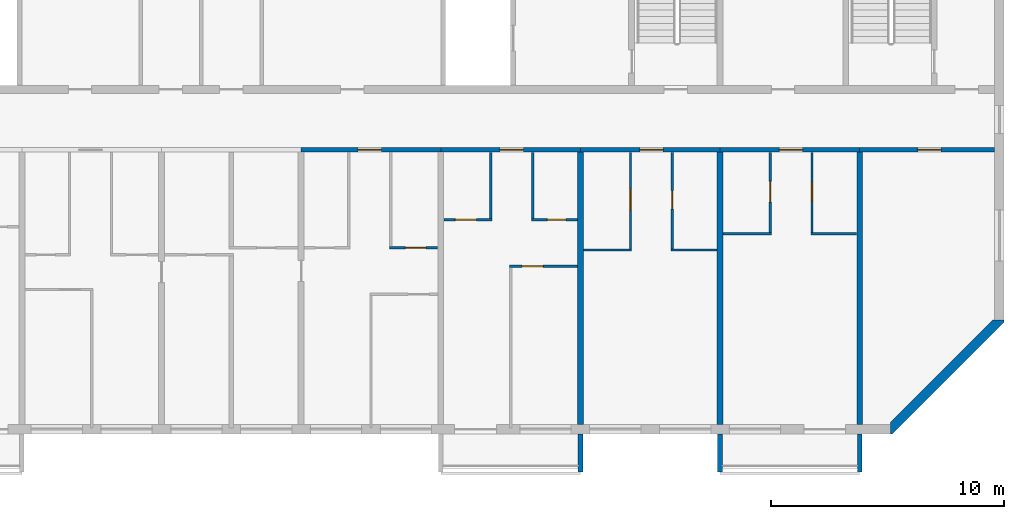
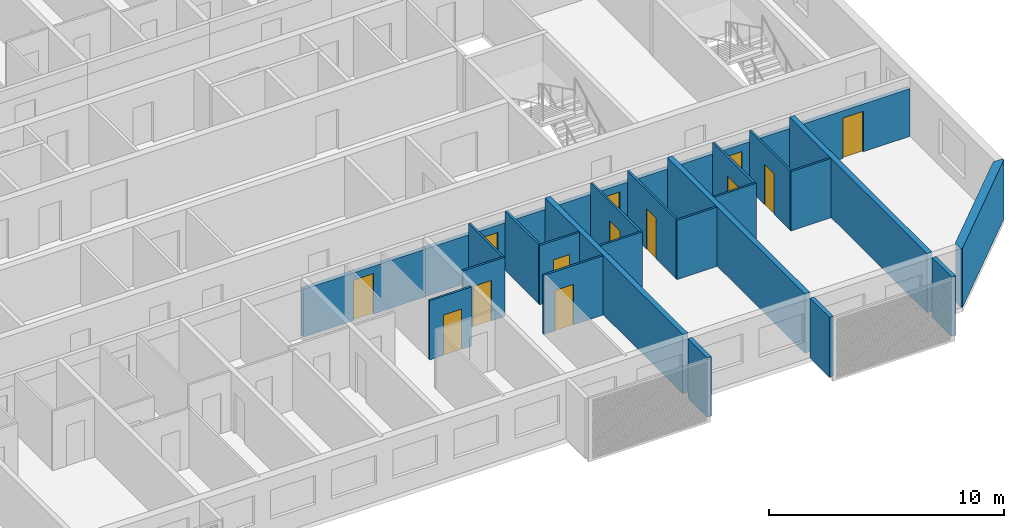
# One storey, part 5 of 26: 26 walls, 13 doors, 13 openings.
"""IFC4 building model written with IfcOpenShell, lengths in metres."""

from ifc_helpers import new_model, si_unit, direction, frame, frame_2d, origin, place, context, subcontext, project, spatial, polyline, rectangle, outline, extrude, source, transform, mapped, material, layer, layer_set, type_object, element, fill, save


model = new_model("IFC4")

# Units and contexts
model_context = context("Model", 3, precision=1e-05, world=origin(), true_north=direction((0.0, 1.0)))
body_context = subcontext(model_context, "Body", "Model", "MODEL_VIEW")
ifc_project = project(units=[si_unit("LENGTHUNIT", "METRE"), si_unit("AREAUNIT", "SQUARE_METRE"), si_unit("VOLUMEUNIT", "CUBIC_METRE"), si_unit("PLANEANGLEUNIT", "RADIAN"), si_unit("MASSUNIT", "GRAM", prefix="KILO")], contexts=[model_context])

# Site, building, storey
site_placement = place(None, origin())
site = spatial("IfcSite", under=ifc_project, at=site_placement, CompositionType="ELEMENT")
building_placement = place(site_placement, origin())
building = spatial("IfcBuilding", under=site, at=building_placement, Name="Poui Terraces", CompositionType="ELEMENT")
storey_placement = place(building_placement, frame((0.0, 0.0, 247.800048828125)))
storey = spatial("IfcBuildingStorey", under=building, at=storey_placement, Name="L69", CompositionType="ELEMENT", Elevation=247.800048828125)

# Wall, opening, door
ifc_material_1 = material(Name="Concrete 50 MPa", Category="concrete")
ifc_layer_1 = layer(ifc_material_1, 0.199951171875)
ifc_layer_set_1 = layer_set([ifc_layer_1], Name="Concrete 50 MPa")
wall_type_1 = type_object("IfcWallType", Name="CORRIDOR WALL 200 50MPa", PredefinedType="SHEAR", material=ifc_layer_set_1)
wall_1_placement = place(storey_placement, frame((54.0, 12.0, 0.0), z_axis=(0.0, 0.0, 1.0), x_axis=(1.0, 0.0, 0.0)))
wall_1 = element("IfcWall", 1, at=wall_1_placement, inside=storey, type_object=wall_type_1, Name="CORRIDOR WALL LINE B BAY 7", PredefinedType="SHEAR", context=body_context, shape_type="SweptSolid", body=[
    extrude(rectangle(XDim=6.0, YDim=0.199951171875, at=frame_2d((3.0, 0.0))), origin(), (0.0, 0.0, 1.0), 2.47998046875),
])
opening_1_placement = place(wall_1_placement, frame((2.449951171875, 0.0, 0.0)))
opening_1 = element("IfcOpeningElement", 2, at=opening_1_placement, cuts=wall_1, Name="Opening FD30S", PredefinedType="OPENING", context=body_context, shape_type="SweptSolid", body=[
    extrude(rectangle(XDim=1.0, YDim=2.10009765625, at=frame_2d((0.5, 1.050048828125))), frame((0.0, 0.10986328125, 0.0), z_axis=(0.0, -1.0, 0.0), x_axis=(1.0, 0.0, 0.0)), (0.0, 0.0, 1.0), 0.219970703125),
])
ifc_material_2 = material(Name="Steel fire door", Category="steel")
door_type_1 = type_object("IfcDoorType", Name="FLAT ENTRANCE DOOR 1000 X 2100", OperationType="NOTDEFINED", PredefinedType="DOOR", material=ifc_material_2)
door_1_placement = place(opening_1_placement, frame((1.0, 0.0, 0.0), z_axis=(0.0, 0.0, 1.0), x_axis=(-1.0, 0.0, 0.0)))
door_1 = element("IfcDoor", 3, at=door_1_placement, inside=storey, type_object=door_type_1, Name="FLAT ENTRANCE DOOR 081", OperationType="SINGLE_SWING_RIGHT", OverallHeight=2.10009765625, OverallWidth=1.0, PredefinedType="DOOR", context=body_context, shape_type="SweptSolid", body=[
    extrude(rectangle(XDim=1.0, YDim=2.10009765625, at=frame_2d((0.5, 1.050048828125))), frame((0.0, 0.02490234375, 0.0), z_axis=(0.0, -1.0, 0.0), x_axis=(1.0, 0.0, 0.0)), (0.0, 0.0, 1.0), 0.050048828125),
])
fill(opening_1, door_1)

wall_2_placement = place(storey_placement, frame((60.0, 12.0, 0.0), z_axis=(0.0, 0.0, 1.0), x_axis=(1.0, 0.0, 0.0)))
wall_2 = element("IfcWall", 4, at=wall_2_placement, inside=storey, type_object=wall_type_1, Name="CORRIDOR WALL LINE B BAY 8", PredefinedType="SHEAR", context=body_context, shape_type="SweptSolid", body=[
    extrude(rectangle(XDim=6.0, YDim=0.199951171875, at=frame_2d((3.0, 0.0))), origin(), (0.0, 0.0, 1.0), 2.47998046875),
])
opening_2_placement = place(wall_2_placement, frame((2.550048828125, 0.0, 0.0)))
opening_2 = element("IfcOpeningElement", 5, at=opening_2_placement, cuts=wall_2, Name="Opening FD30S", PredefinedType="OPENING", context=body_context, shape_type="SweptSolid", body=[
    extrude(rectangle(XDim=1.0, YDim=2.10009765625, at=frame_2d((0.5, 1.050048828125))), frame((0.0, 0.10986328125, 0.0), z_axis=(0.0, -1.0, 0.0), x_axis=(1.0, 0.0, 0.0)), (0.0, 0.0, 1.0), 0.219970703125),
])
door_2_placement = place(opening_2_placement, frame((1.0, 0.0, 0.0), z_axis=(0.0, 0.0, 1.0), x_axis=(-1.0, 0.0, 0.0)))
door_2 = element("IfcDoor", 6, at=door_2_placement, inside=storey, type_object=door_type_1, Name="FLAT ENTRANCE DOOR 085", OperationType="SINGLE_SWING_LEFT", OverallHeight=2.10009765625, OverallWidth=1.0, PredefinedType="DOOR", context=body_context, shape_type="SweptSolid", body=[
    extrude(rectangle(XDim=1.0, YDim=2.10009765625, at=frame_2d((0.5, 1.050048828125))), frame((0.0, 0.02490234375, 0.0), z_axis=(0.0, -1.0, 0.0), x_axis=(1.0, 0.0, 0.0)), (0.0, 0.0, 1.0), 0.050048828125),
])
fill(opening_2, door_2)

wall_3_placement = place(storey_placement, frame((66.0, 12.0, 0.0), z_axis=(0.0, 0.0, 1.0), x_axis=(1.0, 0.0, 0.0)))
wall_3 = element("IfcWall", 7, at=wall_3_placement, inside=storey, type_object=wall_type_1, Name="CORRIDOR WALL LINE B BAY 9", PredefinedType="SHEAR", context=body_context, shape_type="SweptSolid", body=[
    extrude(rectangle(XDim=6.0, YDim=0.199951171875, at=frame_2d((3.0, 0.0))), origin(), (0.0, 0.0, 1.0), 2.47998046875),
])
opening_3_placement = place(wall_3_placement, frame((2.550048828125, 0.0, 0.0)))
opening_3 = element("IfcOpeningElement", 8, at=opening_3_placement, cuts=wall_3, Name="Opening FD30S", PredefinedType="OPENING", context=body_context, shape_type="SweptSolid", body=[
    extrude(rectangle(XDim=1.0, YDim=2.10009765625, at=frame_2d((0.5, 1.050048828125))), frame((0.0, 0.10986328125, 0.0), z_axis=(0.0, -1.0, 0.0), x_axis=(1.0, 0.0, 0.0)), (0.0, 0.0, 1.0), 0.219970703125),
])
door_3_placement = place(opening_3_placement, frame((1.0, 0.0, 0.0), z_axis=(0.0, 0.0, 1.0), x_axis=(-1.0, 0.0, 0.0)))
door_3 = element("IfcDoor", 9, at=door_3_placement, inside=storey, type_object=door_type_1, Name="FLAT ENTRANCE DOOR 089", OperationType="SINGLE_SWING_LEFT", OverallHeight=2.10009765625, OverallWidth=1.0, PredefinedType="DOOR", context=body_context, shape_type="SweptSolid", body=[
    extrude(rectangle(XDim=1.0, YDim=2.10009765625, at=frame_2d((0.5, 1.050048828125))), frame((0.0, 0.02490234375, 0.0), z_axis=(0.0, -1.0, 0.0), x_axis=(1.0, 0.0, 0.0)), (0.0, 0.0, 1.0), 0.050048828125),
])
fill(opening_3, door_3)

wall_4_placement = place(storey_placement, frame((72.0, 12.0, 0.0), z_axis=(0.0, 0.0, 1.0), x_axis=(1.0, 0.0, 0.0)))
wall_4 = element("IfcWall", 10, at=wall_4_placement, inside=storey, type_object=wall_type_1, Name="CORRIDOR WALL LINE B BAY 10", PredefinedType="SHEAR", context=body_context, shape_type="SweptSolid", body=[
    extrude(rectangle(XDim=6.0, YDim=0.199951171875, at=frame_2d((3.0, 0.0))), origin(), (0.0, 0.0, 1.0), 2.47998046875),
])
opening_4_placement = place(wall_4_placement, frame((2.550048828125, 0.0, 0.0)))
opening_4 = element("IfcOpeningElement", 11, at=opening_4_placement, cuts=wall_4, Name="Opening FD30S", PredefinedType="OPENING", context=body_context, shape_type="SweptSolid", body=[
    extrude(rectangle(XDim=1.0, YDim=2.10009765625, at=frame_2d((0.5, 1.050048828125))), frame((0.0, 0.10986328125, 0.0), z_axis=(0.0, -1.0, 0.0), x_axis=(1.0, 0.0, 0.0)), (0.0, 0.0, 1.0), 0.219970703125),
])
door_4_placement = place(opening_4_placement, frame((1.0, 0.0, 0.0), z_axis=(0.0, 0.0, 1.0), x_axis=(-1.0, 0.0, 0.0)))
door_4 = element("IfcDoor", 12, at=door_4_placement, inside=storey, type_object=door_type_1, Name="FLAT ENTRANCE DOOR 092", OperationType="SINGLE_SWING_LEFT", OverallHeight=2.10009765625, OverallWidth=1.0, PredefinedType="DOOR", context=body_context, shape_type="SweptSolid", body=[
    extrude(rectangle(XDim=1.0, YDim=2.10009765625, at=frame_2d((0.5, 1.050048828125))), frame((0.0, 0.02490234375, 0.0), z_axis=(0.0, -1.0, 0.0), x_axis=(1.0, 0.0, 0.0)), (0.0, 0.0, 1.0), 0.050048828125),
])
fill(opening_4, door_4)

wall_5_placement = place(storey_placement, frame((78.0, 12.0, 0.0), z_axis=(0.0, 0.0, 1.0), x_axis=(1.0, 0.0, 0.0)))
wall_5 = element("IfcWall", 13, at=wall_5_placement, inside=storey, type_object=wall_type_1, Name="CORRIDOR WALL LINE B BAY 11", PredefinedType="SHEAR", context=body_context, shape_type="SweptSolid", body=[
    extrude(rectangle(XDim=5.800048828125, YDim=0.199951171875, at=frame_2d((2.89990234375, 0.0))), origin(), (0.0, 0.0, 1.0), 2.47998046875),
])
opening_5_placement = place(wall_5_placement, frame((2.5, 0.0, 0.0)))
opening_5 = element("IfcOpeningElement", 14, at=opening_5_placement, cuts=wall_5, Name="Opening D100", PredefinedType="OPENING", context=body_context, shape_type="SweptSolid", body=[
    extrude(rectangle(XDim=1.0, YDim=2.10009765625, at=frame_2d((0.5, 1.050048828125))), frame((0.0, 0.10986328125, 0.0), z_axis=(0.0, -1.0, 0.0), x_axis=(1.0, 0.0, 0.0)), (0.0, 0.0, 1.0), 0.219970703125),
])
ifc_material_3 = material(Name="Solid core timber door", Category="wood")
door_type_2 = type_object("IfcDoorType", Name="ACCESSIBLE INTERNAL DOOR 1000 X 2100", OperationType="NOTDEFINED", PredefinedType="DOOR", material=ifc_material_3)
door_5_placement = place(opening_5_placement, frame((1.0, 0.0, 0.0), z_axis=(0.0, 0.0, 1.0), x_axis=(-1.0, 0.0, 0.0)))
door_5 = element("IfcDoor", 15, at=door_5_placement, inside=storey, type_object=door_type_2, Name="ACCESSIBLE INTERNAL DOOR 094", OperationType="SINGLE_SWING_RIGHT", OverallHeight=2.10009765625, OverallWidth=1.0, PredefinedType="DOOR", context=body_context, shape_type="SweptSolid", body=[
    extrude(rectangle(XDim=1.0, YDim=2.10009765625, at=frame_2d((0.5, 1.050048828125))), frame((0.0, 0.02490234375, 0.0), z_axis=(0.0, -1.0, 0.0), x_axis=(1.0, 0.0, 0.0)), (0.0, 0.0, 1.0), 0.050048828125),
])
fill(opening_5, door_5)

# Walls
ifc_layer_2 = layer(ifc_material_1, 0.25)
ifc_layer_set_2 = layer_set([ifc_layer_2], Name="Concrete 50 MPa")
wall_type_2 = type_object("IfcWallType", Name="CROSS WALL 250 50MPa", PredefinedType="SHEAR", material=ifc_layer_set_2)
for number, where, z_axis, x_axis, name in (
    (16, (66.0, 0.199951171875, 0.0), (0.0, 0.0, 1.0), (0.0, 1.0, 0.0), "CROSS WALL LINE 12 SOUTH"),
    (17, (72.0, 0.199951171875, 0.0), (0.0, 0.0, 1.0), (0.0, 1.0, 0.0), "CROSS WALL LINE 13 SOUTH"),
    (18, (78.0, 0.199951171875, 0.0), (0.0, 0.0, 1.0), (0.0, 1.0, 0.0), "CROSS WALL LINE 14 SOUTH"),
):
    element("IfcWall", number, at=place(storey_placement, frame(where, z_axis=z_axis, x_axis=x_axis)), inside=storey, type_object=wall_type_2, Name=name, PredefinedType="SHEAR", context=body_context, shape_type="SweptSolid", body=[
        extrude(rectangle(XDim=11.699951171875, YDim=0.25, at=frame_2d((5.85009765625, 0.0))), origin(), (0.0, 0.0, 1.0), 3.079833984375),
    ])

# Wall, opening, door
ifc_material_4 = material(Name="Plasterboard partition")
ifc_layer_3 = layer(ifc_material_4, 0.10009765625)
ifc_layer_set_3 = layer_set([ifc_layer_3], Name="Plasterboard partition")
wall_type_3 = type_object("IfcWallType", Name="FLAT PARTITION 100", PredefinedType="PARTITIONING", material=ifc_layer_set_3)
wall_6_placement = place(storey_placement, frame((62.949951171875, 7.0, 0.0), z_axis=(0.0, 0.0, 1.0), x_axis=(1.0, 0.0, 0.0)))
wall_6 = element("IfcWall", 19, at=wall_6_placement, inside=storey, type_object=wall_type_3, Name="FLAT PARTITION 100", PredefinedType="PARTITIONING", context=body_context, shape_type="SweptSolid", body=[
    extrude(rectangle(XDim=2.9150390625, YDim=0.10009765625, at=frame_2d((1.45751953125, 0.0))), origin(), (0.0, 0.0, 1.0), 3.079833984375),
])
opening_6_placement = place(wall_6_placement, frame((0.550048828125, 0.0, 0.0)))
opening_6 = element("IfcOpeningElement", 20, at=opening_6_placement, cuts=wall_6, Name="Opening D90", PredefinedType="OPENING", context=body_context, shape_type="SweptSolid", body=[
    extrude(rectangle(XDim=0.89990234375, YDim=2.10009765625, at=frame_2d((0.449951171875, 1.050048828125))), frame((0.0, 0.06005859375, 0.0), z_axis=(0.0, -1.0, 0.0), x_axis=(1.0, 0.0, 0.0)), (0.0, 0.0, 1.0), 0.1201171875),
])
door_type_3 = type_object("IfcDoorType", Name="INTERNAL DOOR 900 X 2100", OperationType="NOTDEFINED", PredefinedType="DOOR", material=ifc_material_3)
door_6_placement = place(opening_6_placement, origin())
door_6 = element("IfcDoor", 21, at=door_6_placement, inside=storey, type_object=door_type_3, Name="INTERNAL DOOR 086", OperationType="SINGLE_SWING_RIGHT", OverallHeight=2.10009765625, OverallWidth=0.89990234375, PredefinedType="DOOR", context=body_context, shape_type="SweptSolid", body=[
    extrude(rectangle(XDim=0.89990234375, YDim=2.10009765625, at=frame_2d((0.449951171875, 1.050048828125))), frame((0.0, 0.02490234375, 0.0), z_axis=(0.0, -1.0, 0.0), x_axis=(1.0, 0.0, 0.0)), (0.0, 0.0, 1.0), 0.050048828125),
])
fill(opening_6, door_6)

# Walls
wall_7_placement = place(storey_placement, frame((66.135009765625, 7.699951171875, 0.0), z_axis=(0.0, 0.0, 1.0), x_axis=(1.0, 0.0, 0.0)))
element("IfcWall", 22, at=wall_7_placement, inside=storey, type_object=wall_type_3, Name="FLAT PARTITION 100", PredefinedType="PARTITIONING", context=body_context, shape_type="SweptSolid", body=[
    extrude(rectangle(XDim=2.06494140625, YDim=0.10009765625, at=frame_2d((1.032470703125, 0.0))), origin(), (0.0, 0.0, 1.0), 3.079833984375),
])
wall_8_placement = place(storey_placement, frame((69.89990234375, 7.699951171875, 0.0), z_axis=(0.0, 0.0, 1.0), x_axis=(1.0, 0.0, 0.0)))
element("IfcWall", 23, at=wall_8_placement, inside=storey, type_object=wall_type_3, Name="FLAT PARTITION 100", PredefinedType="PARTITIONING", context=body_context, shape_type="SweptSolid", body=[
    extrude(rectangle(XDim=1.965087890625, YDim=0.10009765625, at=frame_2d((0.982421875, 0.0))), origin(), (0.0, 0.0, 1.0), 3.079833984375),
])

# Wall, opening, door
wall_9_placement = place(storey_placement, frame((57.800048828125, 7.800048828125, 0.0), z_axis=(0.0, 0.0, 1.0), x_axis=(1.0, 0.0, 0.0)))
wall_9 = element("IfcWall", 24, at=wall_9_placement, inside=storey, type_object=wall_type_3, Name="FLAT PARTITION 100", PredefinedType="PARTITIONING", context=body_context, shape_type="SweptSolid", body=[
    extrude(rectangle(XDim=2.06494140625, YDim=0.10009765625, at=frame_2d((1.032470703125, 0.0))), origin(), (0.0, 0.0, 1.0), 3.079833984375),
])
opening_7_placement = place(wall_9_placement, frame((0.675048828125, 0.0, 0.0)))
opening_7 = element("IfcOpeningElement", 25, at=opening_7_placement, cuts=wall_9, Name="Opening D90", PredefinedType="OPENING", context=body_context, shape_type="SweptSolid", body=[
    extrude(rectangle(XDim=0.89990234375, YDim=2.10009765625, at=frame_2d((0.449951171875, 1.050048828125))), frame((0.0, 0.06005859375, 0.0), z_axis=(0.0, -1.0, 0.0), x_axis=(1.0, 0.0, 0.0)), (0.0, 0.0, 1.0), 0.1201171875),
])
door_7_placement = place(opening_7_placement, origin())
door_7 = element("IfcDoor", 26, at=door_7_placement, inside=storey, type_object=door_type_3, Name="INTERNAL DOOR 082", OperationType="SINGLE_SWING_RIGHT", OverallHeight=2.10009765625, OverallWidth=0.89990234375, PredefinedType="DOOR", context=body_context, shape_type="SweptSolid", body=[
    extrude(rectangle(XDim=0.89990234375, YDim=2.10009765625, at=frame_2d((0.449951171875, 1.050048828125))), frame((0.0, 0.02490234375, 0.0), z_axis=(0.0, -1.0, 0.0), x_axis=(1.0, 0.0, 0.0)), (0.0, 0.0, 1.0), 0.050048828125),
])
fill(opening_7, door_7)

# Walls
wall_10_placement = place(storey_placement, frame((72.135009765625, 8.39990234375, 0.0), z_axis=(0.0, 0.0, 1.0), x_axis=(1.0, 0.0, 0.0)))
element("IfcWall", 27, at=wall_10_placement, inside=storey, type_object=wall_type_3, Name="FLAT PARTITION 100", PredefinedType="PARTITIONING", context=body_context, shape_type="SweptSolid", body=[
    extrude(rectangle(XDim=2.06494140625, YDim=0.10009765625, at=frame_2d((1.032470703125, 0.0))), origin(), (0.0, 0.0, 1.0), 3.079833984375),
])
wall_11_placement = place(storey_placement, frame((75.89990234375, 8.39990234375, 0.0), z_axis=(0.0, 0.0, 1.0), x_axis=(1.0, 0.0, 0.0)))
element("IfcWall", 28, at=wall_11_placement, inside=storey, type_object=wall_type_3, Name="FLAT PARTITION 100", PredefinedType="PARTITIONING", context=body_context, shape_type="SweptSolid", body=[
    extrude(rectangle(XDim=1.965087890625, YDim=0.10009765625, at=frame_2d((0.982421875, 0.0))), origin(), (0.0, 0.0, 1.0), 3.079833984375),
])

# Wall, opening, door
wall_12_placement = place(storey_placement, frame((60.135009765625, 9.0, 0.0), z_axis=(0.0, 0.0, 1.0), x_axis=(1.0, 0.0, 0.0)))
wall_12 = element("IfcWall", 29, at=wall_12_placement, inside=storey, type_object=wall_type_3, Name="FLAT PARTITION 100", PredefinedType="PARTITIONING", context=body_context, shape_type="SweptSolid", body=[
    extrude(rectangle(XDim=2.06494140625, YDim=0.10009765625, at=frame_2d((1.032470703125, 0.0))), origin(), (0.0, 0.0, 1.0), 3.079833984375),
])
opening_8_placement = place(wall_12_placement, frame((0.489990234375, 0.0, 0.0)))
opening_8 = element("IfcOpeningElement", 30, at=opening_8_placement, cuts=wall_12, Name="Opening D90", PredefinedType="OPENING", context=body_context, shape_type="SweptSolid", body=[
    extrude(rectangle(XDim=0.89990234375, YDim=2.10009765625, at=frame_2d((0.449951171875, 1.050048828125))), frame((0.0, 0.06005859375, 0.0), z_axis=(0.0, -1.0, 0.0), x_axis=(1.0, 0.0, 0.0)), (0.0, 0.0, 1.0), 0.1201171875),
])
door_8_placement = place(opening_8_placement, origin())
door_8 = element("IfcDoor", 31, at=door_8_placement, inside=storey, type_object=door_type_3, Name="INTERNAL DOOR 084", OperationType="SINGLE_SWING_RIGHT", OverallHeight=2.10009765625, OverallWidth=0.89990234375, PredefinedType="DOOR", context=body_context, shape_type="SweptSolid", body=[
    extrude(rectangle(XDim=0.89990234375, YDim=2.10009765625, at=frame_2d((0.449951171875, 1.050048828125))), frame((0.0, 0.02490234375, 0.0), z_axis=(0.0, -1.0, 0.0), x_axis=(1.0, 0.0, 0.0)), (0.0, 0.0, 1.0), 0.050048828125),
])
fill(opening_8, door_8)

wall_13_placement = place(storey_placement, frame((63.89990234375, 9.0, 0.0), z_axis=(0.0, 0.0, 1.0), x_axis=(1.0, 0.0, 0.0)))
wall_13 = element("IfcWall", 32, at=wall_13_placement, inside=storey, type_object=wall_type_3, Name="FLAT PARTITION 100", PredefinedType="PARTITIONING", context=body_context, shape_type="SweptSolid", body=[
    extrude(rectangle(XDim=1.965087890625, YDim=0.10009765625, at=frame_2d((0.982421875, 0.0))), origin(), (0.0, 0.0, 1.0), 3.079833984375),
])
opening_9_placement = place(wall_13_placement, frame((0.675048828125, 0.0, 0.0)))
opening_9 = element("IfcOpeningElement", 33, at=opening_9_placement, cuts=wall_13, Name="Opening D80", PredefinedType="OPENING", context=body_context, shape_type="SweptSolid", body=[
    extrude(rectangle(XDim=0.800048828125, YDim=2.10009765625, at=frame_2d((0.39990234375, 1.050048828125))), frame((0.0, 0.06005859375, 0.0), z_axis=(0.0, -1.0, 0.0), x_axis=(1.0, 0.0, 0.0)), (0.0, 0.0, 1.0), 0.1201171875),
])
door_type_4 = type_object("IfcDoorType", Name="BATHROOM, LAUNDRY AND STORE DOOR 800 X 2100", OperationType="NOTDEFINED", PredefinedType="DOOR", material=ifc_material_3)
door_9_placement = place(opening_9_placement, origin())
door_9 = element("IfcDoor", 34, at=door_9_placement, inside=storey, type_object=door_type_4, Name="BATHROOM, LAUNDRY AND STORE DOOR 087", OperationType="SINGLE_SWING_LEFT", OverallHeight=2.10009765625, OverallWidth=0.800048828125, PredefinedType="DOOR", context=body_context, shape_type="SweptSolid", body=[
    extrude(rectangle(XDim=0.800048828125, YDim=2.10009765625, at=frame_2d((0.39990234375, 1.050048828125))), frame((0.0, 0.02490234375, 0.0), z_axis=(0.0, -1.0, 0.0), x_axis=(1.0, 0.0, 0.0)), (0.0, 0.0, 1.0), 0.050048828125),
])
fill(opening_9, door_9)

# Walls
for number, where, z_axis, x_axis, name in (
    (35, (62.14990234375, 9.050048828125, 0.0), (0.0, 0.0, 1.0), (0.0, 1.0, 0.0), "FLAT PARTITION 100"),
    (36, (63.949951171875, 9.050048828125, 0.0), (0.0, 0.0, 1.0), (0.0, 1.0, 0.0), "FLAT PARTITION 100"),
):
    element("IfcWall", number, at=place(storey_placement, frame(where, z_axis=z_axis, x_axis=x_axis)), inside=storey, type_object=wall_type_3, Name=name, PredefinedType="PARTITIONING", context=body_context, shape_type="SweptSolid", body=[
        extrude(rectangle(XDim=2.83984375, YDim=0.10009765625, at=frame_2d((1.419921875, 0.0))), origin(), (0.0, 0.0, 1.0), 3.079833984375),
    ])

# Wall, opening, door
wall_14_placement = place(storey_placement, frame((68.14990234375, 7.75, 0.0), z_axis=(0.0, 0.0, 1.0), x_axis=(0.0, 1.0, 0.0)))
wall_14 = element("IfcWall", 37, at=wall_14_placement, inside=storey, type_object=wall_type_3, Name="FLAT PARTITION 100", PredefinedType="PARTITIONING", context=body_context, shape_type="SweptSolid", body=[
    extrude(rectangle(XDim=4.139892578125, YDim=0.10009765625, at=frame_2d((2.06982421875, 0.0))), origin(), (0.0, 0.0, 1.0), 3.079833984375),
])
opening_10_placement = place(wall_14_placement, frame((1.64990234375, 0.0, 0.0)))
opening_10 = element("IfcOpeningElement", 38, at=opening_10_placement, cuts=wall_14, Name="Opening D90", PredefinedType="OPENING", context=body_context, shape_type="SweptSolid", body=[
    extrude(rectangle(XDim=0.89990234375, YDim=2.10009765625, at=frame_2d((0.449951171875, 1.050048828125))), frame((0.0, 0.06005859375, 0.0), z_axis=(0.0, -1.0, 0.0), x_axis=(1.0, 0.0, 0.0)), (0.0, 0.0, 1.0), 0.1201171875),
])
door_10_placement = place(opening_10_placement, origin())
door_10 = element("IfcDoor", 39, at=door_10_placement, inside=storey, type_object=door_type_3, Name="INTERNAL DOOR 088", OperationType="SINGLE_SWING_RIGHT", OverallHeight=2.10009765625, OverallWidth=0.89990234375, PredefinedType="DOOR", context=body_context, shape_type="SweptSolid", body=[
    extrude(rectangle(XDim=0.89990234375, YDim=2.10009765625, at=frame_2d((0.449951171875, 1.050048828125))), frame((0.0, 0.02490234375, 0.0), z_axis=(0.0, -1.0, 0.0), x_axis=(1.0, 0.0, 0.0)), (0.0, 0.0, 1.0), 0.050048828125),
])
fill(opening_10, door_10)

wall_15_placement = place(storey_placement, frame((69.949951171875, 7.75, 0.0), z_axis=(0.0, 0.0, 1.0), x_axis=(0.0, 1.0, 0.0)))
wall_15 = element("IfcWall", 40, at=wall_15_placement, inside=storey, type_object=wall_type_3, Name="FLAT PARTITION 100", PredefinedType="PARTITIONING", context=body_context, shape_type="SweptSolid", body=[
    extrude(rectangle(XDim=4.139892578125, YDim=0.10009765625, at=frame_2d((2.06982421875, 0.0))), origin(), (0.0, 0.0, 1.0), 3.079833984375),
])
opening_11_placement = place(wall_15_placement, frame((1.699951171875, 0.0, 0.0)))
opening_11 = element("IfcOpeningElement", 41, at=opening_11_placement, cuts=wall_15, Name="Opening D80", PredefinedType="OPENING", context=body_context, shape_type="SweptSolid", body=[
    extrude(rectangle(XDim=0.800048828125, YDim=2.10009765625, at=frame_2d((0.39990234375, 1.050048828125))), frame((0.0, 0.06005859375, 0.0), z_axis=(0.0, -1.0, 0.0), x_axis=(1.0, 0.0, 0.0)), (0.0, 0.0, 1.0), 0.1201171875),
])
door_11_placement = place(opening_11_placement, frame((0.800048828125, 0.0, 0.0), z_axis=(0.0, 0.0, 1.0), x_axis=(-1.0, 0.0, 0.0)))
door_11 = element("IfcDoor", 42, at=door_11_placement, inside=storey, type_object=door_type_4, Name="BATHROOM, LAUNDRY AND STORE DOOR 090", OperationType="SINGLE_SWING_RIGHT", OverallHeight=2.10009765625, OverallWidth=0.800048828125, PredefinedType="DOOR", context=body_context, shape_type="SweptSolid", body=[
    extrude(rectangle(XDim=0.800048828125, YDim=2.10009765625, at=frame_2d((0.39990234375, 1.050048828125))), frame((0.0, 0.02490234375, 0.0), z_axis=(0.0, -1.0, 0.0), x_axis=(1.0, 0.0, 0.0)), (0.0, 0.0, 1.0), 0.050048828125),
])
fill(opening_11, door_11)

wall_16_placement = place(storey_placement, frame((74.14990234375, 8.449951171875, 0.0), z_axis=(0.0, 0.0, 1.0), x_axis=(0.0, 1.0, 0.0)))
wall_16 = element("IfcWall", 43, at=wall_16_placement, inside=storey, type_object=wall_type_3, Name="FLAT PARTITION 100", PredefinedType="PARTITIONING", context=body_context, shape_type="SweptSolid", body=[
    extrude(rectangle(XDim=3.43994140625, YDim=0.10009765625, at=frame_2d((1.719970703125, 0.0))), origin(), (0.0, 0.0, 1.0), 3.079833984375),
])
opening_12_placement = place(wall_16_placement, frame((1.300048828125, 0.0, 0.0)))
opening_12 = element("IfcOpeningElement", 44, at=opening_12_placement, cuts=wall_16, Name="Opening D90", PredefinedType="OPENING", context=body_context, shape_type="SweptSolid", body=[
    extrude(rectangle(XDim=0.89990234375, YDim=2.10009765625, at=frame_2d((0.449951171875, 1.050048828125))), frame((0.0, 0.06005859375, 0.0), z_axis=(0.0, -1.0, 0.0), x_axis=(1.0, 0.0, 0.0)), (0.0, 0.0, 1.0), 0.1201171875),
])
door_12_placement = place(opening_12_placement, origin())
door_12 = element("IfcDoor", 45, at=door_12_placement, inside=storey, type_object=door_type_3, Name="INTERNAL DOOR 091", OperationType="SINGLE_SWING_LEFT", OverallHeight=2.10009765625, OverallWidth=0.89990234375, PredefinedType="DOOR", context=body_context, shape_type="SweptSolid", body=[
    extrude(rectangle(XDim=0.89990234375, YDim=2.10009765625, at=frame_2d((0.449951171875, 1.050048828125))), frame((0.0, 0.02490234375, 0.0), z_axis=(0.0, -1.0, 0.0), x_axis=(1.0, 0.0, 0.0)), (0.0, 0.0, 1.0), 0.050048828125),
])
fill(opening_12, door_12)

wall_17_placement = place(storey_placement, frame((75.949951171875, 8.449951171875, 0.0), z_axis=(0.0, 0.0, 1.0), x_axis=(0.0, 1.0, 0.0)))
wall_17 = element("IfcWall", 46, at=wall_17_placement, inside=storey, type_object=wall_type_3, Name="FLAT PARTITION 100", PredefinedType="PARTITIONING", context=body_context, shape_type="SweptSolid", body=[
    extrude(rectangle(XDim=3.43994140625, YDim=0.10009765625, at=frame_2d((1.719970703125, 0.0))), origin(), (0.0, 0.0, 1.0), 3.079833984375),
])
opening_13_placement = place(wall_17_placement, frame((1.35009765625, 0.0, 0.0)))
opening_13 = element("IfcOpeningElement", 47, at=opening_13_placement, cuts=wall_17, Name="Opening D80", PredefinedType="OPENING", context=body_context, shape_type="SweptSolid", body=[
    extrude(rectangle(XDim=0.800048828125, YDim=2.10009765625, at=frame_2d((0.39990234375, 1.050048828125))), frame((0.0, 0.06005859375, 0.0), z_axis=(0.0, -1.0, 0.0), x_axis=(1.0, 0.0, 0.0)), (0.0, 0.0, 1.0), 0.1201171875),
])
door_13_placement = place(opening_13_placement, frame((0.800048828125, 0.0, 0.0), z_axis=(0.0, 0.0, 1.0), x_axis=(-1.0, 0.0, 0.0)))
door_13 = element("IfcDoor", 48, at=door_13_placement, inside=storey, type_object=door_type_4, Name="BATHROOM, LAUNDRY AND STORE DOOR 093", OperationType="SINGLE_SWING_LEFT", OverallHeight=2.10009765625, OverallWidth=0.800048828125, PredefinedType="DOOR", context=body_context, shape_type="SweptSolid", body=[
    extrude(rectangle(XDim=0.800048828125, YDim=2.10009765625, at=frame_2d((0.39990234375, 1.050048828125))), frame((0.0, 0.02490234375, 0.0), z_axis=(0.0, -1.0, 0.0), x_axis=(1.0, 0.0, 0.0)), (0.0, 0.0, 1.0), 0.050048828125),
])
fill(opening_13, door_13)

# Walls
ifc_material_5 = material(Name="Precast concrete 40 MPa", Category="concrete")
ifc_layer_4 = layer(ifc_material_5, 0.39990234375)
ifc_layer_set_4 = layer_set([ifc_layer_4], Name="Precast concrete 40 MPa")
wall_type_4 = type_object("IfcWallType", Name="TERRACOTTA CLAD CHAMFER WALL 400", PredefinedType="STANDARD", material=ifc_layer_set_4)
wall_18_placement = place(storey_placement, origin())
element("IfcWall", 49, at=wall_18_placement, inside=storey, type_object=wall_type_4, Name="CHAMFER WALL CH01", PredefinedType="STANDARD", context=body_context, shape_type="SweptSolid", body=[
    extrude(outline(polyline([(79.317138671875, -0.199951171875), (79.39990234375, -0.199951171875), (84.199951171875, 4.60009765625), (84.199951171875, 4.682861328125), (83.71728515625, 4.682861328125), (79.317138671875, 0.28271484375), (79.317138671875, -0.199951171875)])), origin(), (0.0, 0.0, 1.0), 3.079833984375),
])
ifc_layer_5 = layer(ifc_material_5, 0.199951171875)
ifc_layer_set_5 = layer_set([ifc_layer_5], Name="Precast concrete 40 MPa")
wall_type_5 = type_object("IfcWallType", Name="REAR FIN 200", PredefinedType="STANDARD", material=ifc_layer_set_5)
shared_shape = source(origin(), body_context, "Body", "SweptSolid", [
    extrude(outline(polyline([(0.0, 0.0), (0.2001953125, 0.0), (0.2001953125, 1.650146484375), (0.0, 1.650146484375), (0.0, 0.0)])), origin(), (0.0, 0.0, 1.0), 3.099853515625),
])
for number, where, name in (
    (50, (65.89990234375, -1.85009765625, 0.0), "REAR FIN"),
    (51, (71.89990234375, -1.85009765625, 0.0), "REAR FIN"),
    (52, (77.89990234375, -1.85009765625, 0.0), "REAR FIN"),
):
    element("IfcWall", number, at=place(storey_placement, frame(where)), inside=storey, type_object=wall_type_5, Name=name, PredefinedType="STANDARD", context=body_context, shape_type="MappedRepresentation", body=[
        mapped(shared_shape, transform((0.0, 0.0, 0.0))),
    ])

save(model, "model.ifc")
